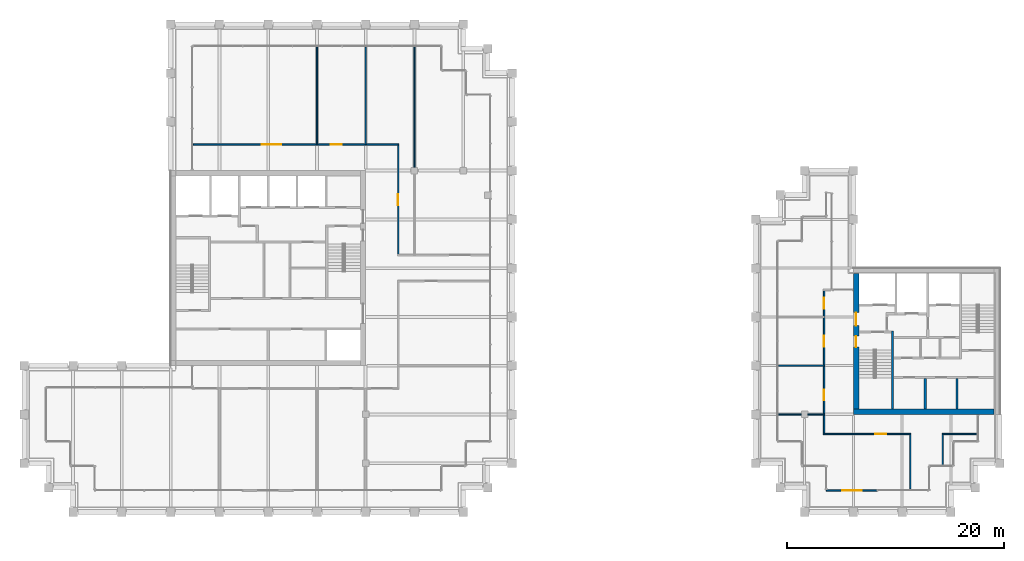
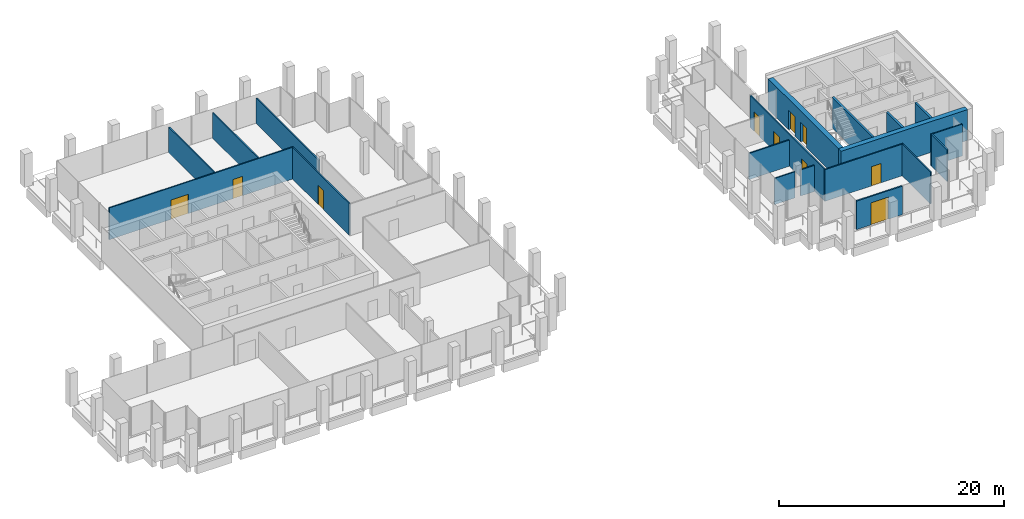
# One storey, part 37 of 40: 19 walls, 10 doors, 10 openings.
"""IFC4 building model written with IfcOpenShell, lengths in metres."""

from ifc_helpers import new_model, si_unit, direction, frame, frame_2d, origin, place, context, subcontext, project, spatial, rectangle, extrude, material, layer, layer_set, type_object, element, fill, save


model = new_model("IFC4")

# Units and contexts
model_context = context("Model", 3, precision=1e-05, world=origin(), true_north=direction((0.0, 1.0)))
body_context = subcontext(model_context, "Body", "Model", "MODEL_VIEW")
ifc_project = project(units=[si_unit("LENGTHUNIT", "METRE"), si_unit("AREAUNIT", "SQUARE_METRE"), si_unit("VOLUMEUNIT", "CUBIC_METRE"), si_unit("PLANEANGLEUNIT", "RADIAN"), si_unit("MASSUNIT", "GRAM", prefix="KILO")], contexts=[model_context])

# Site, building, storey
site_placement = place(None, origin())
site = spatial("IfcSite", under=ifc_project, at=site_placement, CompositionType="ELEMENT")
building_placement = place(site_placement, origin())
building = spatial("IfcBuilding", under=site, at=building_placement, Name="Altepetl Exchange Towers", CompositionType="ELEMENT")
storey_placement = place(building_placement, frame((0.0, 0.0, 195.60009765625)))
storey = spatial("IfcBuildingStorey", under=building, at=storey_placement, Name="L49", CompositionType="ELEMENT", Elevation=195.60009765625)

# Wall
ifc_material_1 = material(Name="Concrete C70/85", Category="concrete")
ifc_layer_1 = layer(ifc_material_1, 0.5)
ifc_layer_set_1 = layer_set([ifc_layer_1], Name="Concrete C70/85")
wall_type_1 = type_object("IfcWallType", Name="Core wall 500 reinforced concrete", PredefinedType="SHEAR", material=ifc_layer_set_1)
wall_1_placement = place(storey_placement, frame((103.5, 36.25, 0.0)))
element("IfcWall", 1, at=wall_1_placement, inside=storey, type_object=wall_type_1, Name="wall:B:L49:K-coreS", PredefinedType="SHEAR", context=body_context, shape_type="SweptSolid", body=[
    extrude(rectangle(XDim=13.0, YDim=0.5, at=frame_2d((6.5, 0.0))), origin(), (0.0, 0.0, 1.0), 3.349853515625),
])

# Wall, openings, doors
wall_2_placement = place(storey_placement, frame((103.75, 36.5, 0.0), z_axis=(0.0, 0.0, 1.0), x_axis=(0.0, 1.0, 0.0)))
wall_2 = element("IfcWall", 2, at=wall_2_placement, inside=storey, type_object=wall_type_1, Name="wall:B:L49:K-coreW", PredefinedType="SHEAR", context=body_context, shape_type="SweptSolid", body=[
    extrude(rectangle(XDim=12.5, YDim=0.5, at=frame_2d((6.25, 0.0))), origin(), (0.0, 0.0, 1.0), 3.349853515625),
])
opening_1_placement = place(wall_2_placement, frame((7.699951171875, 0.0, 0.0)))
opening_1 = element("IfcOpeningElement", 3, at=opening_1_placement, cuts=wall_2, Name="Opening L49.B60", PredefinedType="OPENING", context=body_context, shape_type="SweptSolid", body=[
    extrude(rectangle(XDim=1.199951171875, YDim=2.10009765625, at=frame_2d((0.60009765625, 1.050048828125))), frame((0.0, 0.260009765625, 0.0), z_axis=(0.0, -1.0, 0.0), x_axis=(1.0, 0.0, 0.0)), (0.0, 0.0, 1.0), 0.52001953125),
])
opening_2_placement = place(wall_2_placement, frame((5.72509765625, 0.0, 0.0)))
opening_2 = element("IfcOpeningElement", 4, at=opening_2_placement, cuts=wall_2, Name="Opening L49.B62", PredefinedType="OPENING", context=body_context, shape_type="SweptSolid", body=[
    extrude(rectangle(XDim=1.0, YDim=2.10009765625, at=frame_2d((0.5, 1.050048828125))), frame((0.0, 0.260009765625, 0.0), z_axis=(0.0, -1.0, 0.0), x_axis=(1.0, 0.0, 0.0)), (0.0, 0.0, 1.0), 0.52001953125),
])
ifc_material_2 = material(Name="Steel and timber fire door", Category="steel")
door_type_1 = type_object("IfcDoorType", Name="Fire door 1000 x 2100 stair and lobby", OperationType="SINGLE_SWING_LEFT", PredefinedType="DOOR", material=ifc_material_2)
door_1_placement = place(opening_2_placement, frame((1.0, 0.0, 0.0), x_axis=(-1.0, 0.0, 0.0)))
door_1 = element("IfcDoor", 5, at=door_1_placement, inside=storey, type_object=door_type_1, Name="door:B:L49:K-dS1x", OperationType="SINGLE_SWING_RIGHT", OverallHeight=2.10009765625, OverallWidth=1.0, PredefinedType="DOOR", context=body_context, shape_type="SweptSolid", body=[
    extrude(rectangle(XDim=1.0, YDim=2.10009765625, at=frame_2d((0.5, 1.050048828125))), frame((0.0, 0.02490234375, 0.0), z_axis=(0.0, -1.0, 0.0), x_axis=(1.0, 0.0, 0.0)), (0.0, 0.0, 1.0), 0.050048828125),
])
fill(opening_2, door_1)
door_type_2 = type_object("IfcDoorType", Name="Fire door 1200 x 2100 lobby entry", OperationType="SINGLE_SWING_LEFT", PredefinedType="DOOR", material=ifc_material_2)
door_2_placement = place(opening_1_placement, frame((1.199951171875, 0.0, 0.0), x_axis=(-1.0, 0.0, 0.0)))
door_2 = element("IfcDoor", 6, at=door_2_placement, inside=storey, type_object=door_type_2, Name="door:B:L49:K-dLNW", OperationType="SINGLE_SWING_RIGHT", OverallHeight=2.10009765625, OverallWidth=1.199951171875, PredefinedType="DOOR", context=body_context, shape_type="SweptSolid", body=[
    extrude(rectangle(XDim=1.199951171875, YDim=2.10009765625, at=frame_2d((0.60009765625, 1.050048828125))), frame((0.0, 0.02490234375, 0.0), z_axis=(0.0, -1.0, 0.0), x_axis=(1.0, 0.0, 0.0)), (0.0, 0.0, 1.0), 0.050048828125),
])
fill(opening_1, door_2)

# Wall, opening, door
ifc_material_3 = material(Name="Aluminium composite cladding", Category="aluminium")
ifc_layer_2 = layer(ifc_material_3, 0.14990234375)
ifc_layer_set_2 = layer_set([ifc_layer_2], Name="Aluminium composite cladding")
wall_type_2 = type_object("IfcWallType", Name="Infill wall 150 aluminium panel", PredefinedType="SOLIDWALL", material=ifc_layer_set_2)
wall_3_placement = place(storey_placement, frame((101.0, 29.0, 0.0)))
wall_3 = element("IfcWall", 7, at=wall_3_placement, inside=storey, type_object=wall_type_2, Name="Loggia door bay wall", PredefinedType="SOLIDWALL", context=body_context, shape_type="SweptSolid", body=[
    extrude(rectangle(XDim=4.71240234375, YDim=0.14990234375, at=frame_2d((2.356201171875, 0.0))), origin(), (0.0, 0.0, 1.0), 3.099853515625),
])
opening_3_placement = place(wall_3_placement, frame((1.456298828125, 0.0, 0.0)))
opening_3 = element("IfcOpeningElement", 8, at=opening_3_placement, cuts=wall_3, Name="Opening L49.B90", PredefinedType="OPENING", context=body_context, shape_type="SweptSolid", body=[
    extrude(rectangle(XDim=1.800048828125, YDim=2.39990234375, at=frame_2d((0.89990234375, 1.199951171875))), frame((0.0, 0.0849609375, 0.0), z_axis=(0.0, -1.0, 0.0), x_axis=(1.0, 0.0, 0.0)), (0.0, 0.0, 1.0), 0.169921875),
])
ifc_material_4 = material(Name="Aluminium 6063-T6 and glass", Category="aluminium")
door_type_3 = type_object("IfcDoorType", Name="Glazed door pair 1800x2400", OperationType="DOUBLE_DOOR_DOUBLE_SWING", PredefinedType="NOTDEFINED", material=ifc_material_4)
door_3_placement = place(opening_3_placement, frame((1.800048828125, 0.0, 0.0), x_axis=(-1.0, 0.0, 0.0)))
door_3 = element("IfcDoor", 9, at=door_3_placement, inside=storey, type_object=door_type_3, Name="Loggia door", OperationType="DOUBLE_DOOR_DOUBLE_SWING", OverallHeight=2.39990234375, OverallWidth=1.800048828125, PredefinedType="NOTDEFINED", context=body_context, shape_type="SweptSolid", body=[
    extrude(rectangle(XDim=1.800048828125, YDim=2.39990234375, at=frame_2d((0.89990234375, 1.199951171875))), frame((0.0, 0.02490234375, 0.0), z_axis=(0.0, -1.0, 0.0), x_axis=(1.0, 0.0, 0.0)), (0.0, 0.0, 1.0), 0.050048828125),
])
fill(opening_3, door_3)

# Wall, openings, doors
ifc_material_5 = material(Name="Gypsum board on steel studs", Category="steel")
ifc_layer_3 = layer(ifc_material_5, 0.125)
ifc_layer_set_3 = layer_set([ifc_layer_3], Name="Gypsum board on steel studs")
wall_type_3 = type_object("IfcWallType", Name="Partition 125 gypsum board on steel studs", PredefinedType="PARTITIONING", material=ifc_layer_set_3)
wall_4_placement = place(storey_placement, frame((42.60009765625, 60.89990234375, 0.0)))
wall_4 = element("IfcWall", 10, at=wall_4_placement, inside=storey, type_object=wall_type_3, Name="wall:A:L49:P05", PredefinedType="PARTITIONING", context=body_context, shape_type="SweptSolid", body=[
    extrude(rectangle(XDim=18.96240234375, YDim=0.125, at=frame_2d((9.481201171875, 0.0))), origin(), (0.0, 0.0, 1.0), 3.449951171875),
])
opening_4_placement = place(wall_4_placement, frame((12.695068359375, 0.0, 0.0)))
opening_4 = element("IfcOpeningElement", 11, at=opening_4_placement, cuts=wall_4, Name="Opening L49.A08", PredefinedType="OPENING", context=body_context, shape_type="SweptSolid", body=[
    extrude(rectangle(XDim=1.0, YDim=2.10009765625, at=frame_2d((0.5, 1.050048828125))), frame((0.0, 0.072509765625, 0.0), z_axis=(0.0, -1.0, 0.0), x_axis=(1.0, 0.0, 0.0)), (0.0, 0.0, 1.0), 0.14501953125),
])
opening_5_placement = place(wall_4_placement, frame((6.322021484375, 0.0, 0.0)))
opening_5 = element("IfcOpeningElement", 12, at=opening_5_placement, cuts=wall_4, Name="Opening L49.A09", PredefinedType="OPENING", context=body_context, shape_type="SweptSolid", body=[
    extrude(rectangle(XDim=1.800048828125, YDim=2.10009765625, at=frame_2d((0.89990234375, 1.050048828125))), frame((0.0, 0.072509765625, 0.0), z_axis=(0.0, -1.0, 0.0), x_axis=(1.0, 0.0, 0.0)), (0.0, 0.0, 1.0), 0.14501953125),
])
door_type_4 = type_object("IfcDoorType", Name="Fire door 1000 x 2100 single leaf", OperationType="SINGLE_SWING_LEFT", PredefinedType="DOOR", material=ifc_material_2)
door_4_placement = place(opening_4_placement, origin())
door_4 = element("IfcDoor", 13, at=door_4_placement, inside=storey, type_object=door_type_4, Name="door:A:L49:08", OperationType="SINGLE_SWING_LEFT", OverallHeight=2.10009765625, OverallWidth=1.0, PredefinedType="DOOR", context=body_context, shape_type="SweptSolid", body=[
    extrude(rectangle(XDim=1.0, YDim=2.10009765625, at=frame_2d((0.5, 1.050048828125))), frame((0.0, 0.02490234375, 0.0), z_axis=(0.0, -1.0, 0.0), x_axis=(1.0, 0.0, 0.0)), (0.0, 0.0, 1.0), 0.050048828125),
])
fill(opening_4, door_4)
door_type_5 = type_object("IfcDoorType", Name="Fire door 1800 x 2100 double leaf", OperationType="DOUBLE_DOOR_SINGLE_SWING", PredefinedType="DOOR", material=ifc_material_2)
door_5_placement = place(opening_5_placement, origin())
door_5 = element("IfcDoor", 14, at=door_5_placement, inside=storey, type_object=door_type_5, Name="door:A:L49:09", OperationType="DOUBLE_DOOR_SINGLE_SWING", OverallHeight=2.10009765625, OverallWidth=1.800048828125, PredefinedType="DOOR", context=body_context, shape_type="SweptSolid", body=[
    extrude(rectangle(XDim=1.800048828125, YDim=2.10009765625, at=frame_2d((0.89990234375, 1.050048828125))), frame((0.0, 0.02490234375, 0.0), z_axis=(0.0, -1.0, 0.0), x_axis=(1.0, 0.0, 0.0)), (0.0, 0.0, 1.0), 0.050048828125),
])
fill(opening_5, door_5)

# Walls
for number, where, z_axis, x_axis, name in (
    (15, (54.0, 60.89990234375, 0.0), (0.0, 0.0, 1.0), (0.0, 1.0, 0.0), "wall:A:L49:P08"),
    (16, (58.5, 60.89990234375, 0.0), (0.0, 0.0, 1.0), (0.0, 1.0, 0.0), "wall:A:L49:P12"),
):
    element("IfcWall", number, at=place(storey_placement, frame(where, z_axis=z_axis, x_axis=x_axis)), inside=storey, type_object=wall_type_3, Name=name, PredefinedType="PARTITIONING", context=body_context, shape_type="SweptSolid", body=[
        extrude(rectangle(XDim=9.0, YDim=0.125, at=frame_2d((4.5, 0.0))), origin(), (0.0, 0.0, 1.0), 2.77197265625),
    ])

# Wall, opening, door
wall_5_placement = place(storey_placement, frame((61.5, 50.762451171875, 0.0), z_axis=(0.0, 0.0, 1.0), x_axis=(0.0, 1.0, 0.0)))
wall_5 = element("IfcWall", 17, at=wall_5_placement, inside=storey, type_object=wall_type_3, Name="wall:A:L49:P14", PredefinedType="PARTITIONING", context=body_context, shape_type="SweptSolid", body=[
    extrude(rectangle(XDim=10.074951171875, YDim=0.125, at=frame_2d((5.03759765625, 0.0))), origin(), (0.0, 0.0, 1.0), 3.449951171875),
])
opening_6_placement = place(wall_5_placement, frame((4.53759765625, 0.0, 0.0)))
opening_6 = element("IfcOpeningElement", 18, at=opening_6_placement, cuts=wall_5, Name="Opening L49.A07", PredefinedType="OPENING", context=body_context, shape_type="SweptSolid", body=[
    extrude(rectangle(XDim=1.0, YDim=2.10009765625, at=frame_2d((0.5, 1.050048828125))), frame((0.0, 0.072509765625, 0.0), z_axis=(0.0, -1.0, 0.0), x_axis=(1.0, 0.0, 0.0)), (0.0, 0.0, 1.0), 0.14501953125),
])
door_6_placement = place(opening_6_placement, frame((1.0, 0.0, 0.0), x_axis=(-1.0, 0.0, 0.0)))
door_6 = element("IfcDoor", 19, at=door_6_placement, inside=storey, type_object=door_type_4, Name="door:A:L49:07", OperationType="SINGLE_SWING_RIGHT", OverallHeight=2.10009765625, OverallWidth=1.0, PredefinedType="DOOR", context=body_context, shape_type="SweptSolid", body=[
    extrude(rectangle(XDim=1.0, YDim=2.10009765625, at=frame_2d((0.5, 1.050048828125))), frame((0.0, 0.02490234375, 0.0), z_axis=(0.0, -1.0, 0.0), x_axis=(1.0, 0.0, 0.0)), (0.0, 0.0, 1.0), 0.050048828125),
])
fill(opening_6, door_6)

# Wall
wall_6_placement = place(storey_placement, frame((63.0, 58.800048828125, 0.0), z_axis=(0.0, 0.0, 1.0), x_axis=(0.0, 1.0, 0.0)))
element("IfcWall", 20, at=wall_6_placement, inside=storey, type_object=wall_type_3, Name="wall:A:L49:P16", PredefinedType="PARTITIONING", context=body_context, shape_type="SweptSolid", body=[
    extrude(rectangle(XDim=11.099853515625, YDim=0.125, at=frame_2d((5.5498046875, 0.0))), origin(), (0.0, 0.0, 1.0), 2.77197265625),
])

# Wall, opening, door
wall_7_placement = place(storey_placement, frame((100.737548828125, 34.199951171875, 0.0)))
wall_7 = element("IfcWall", 21, at=wall_7_placement, inside=storey, type_object=wall_type_3, Name="wall:B:L49:P01", PredefinedType="PARTITIONING", context=body_context, shape_type="SweptSolid", body=[
    extrude(rectangle(XDim=8.074951171875, YDim=0.125, at=frame_2d((4.03759765625, 0.0))), origin(), (0.0, 0.0, 1.0), 3.449951171875),
])
opening_7_placement = place(wall_7_placement, frame((4.79150390625, 0.0, 0.0)))
opening_7 = element("IfcOpeningElement", 22, at=opening_7_placement, cuts=wall_7, Name="Opening L49.B03", PredefinedType="OPENING", context=body_context, shape_type="SweptSolid", body=[
    extrude(rectangle(XDim=1.0, YDim=2.10009765625, at=frame_2d((0.5, 1.050048828125))), frame((0.0, 0.072509765625, 0.0), z_axis=(0.0, -1.0, 0.0), x_axis=(1.0, 0.0, 0.0)), (0.0, 0.0, 1.0), 0.14501953125),
])
door_7_placement = place(opening_7_placement, frame((1.0, 0.0, 0.0), x_axis=(-1.0, 0.0, 0.0)))
door_7 = element("IfcDoor", 23, at=door_7_placement, inside=storey, type_object=door_type_4, Name="door:B:L49:03", OperationType="SINGLE_SWING_LEFT", OverallHeight=2.10009765625, OverallWidth=1.0, PredefinedType="DOOR", context=body_context, shape_type="SweptSolid", body=[
    extrude(rectangle(XDim=1.0, YDim=2.10009765625, at=frame_2d((0.5, 1.050048828125))), frame((0.0, 0.02490234375, 0.0), z_axis=(0.0, -1.0, 0.0), x_axis=(1.0, 0.0, 0.0)), (0.0, 0.0, 1.0), 0.050048828125),
])
fill(opening_7, door_7)

# Walls
wall_8_placement = place(storey_placement, frame((111.6875, 34.199951171875, 0.0)))
element("IfcWall", 24, at=wall_8_placement, inside=storey, type_object=wall_type_3, Name="wall:B:L49:P02", PredefinedType="PARTITIONING", context=body_context, shape_type="SweptSolid", body=[
    extrude(rectangle(XDim=3.21240234375, YDim=0.125, at=frame_2d((1.606201171875, 0.0))), origin(), (0.0, 0.0, 1.0), 3.449951171875),
])
wall_9_placement = place(storey_placement, frame((96.60009765625, 36.0, 0.0)))
element("IfcWall", 25, at=wall_9_placement, inside=storey, type_object=wall_type_3, Name="wall:B:L49:P03", PredefinedType="PARTITIONING", context=body_context, shape_type="SweptSolid", body=[
    extrude(rectangle(XDim=2.099853515625, YDim=0.125, at=frame_2d((1.0498046875, 0.0))), origin(), (0.0, 0.0, 1.0), 2.841796875),
])
wall_10_placement = place(storey_placement, frame((99.300048828125, 36.0, 0.0)))
element("IfcWall", 26, at=wall_10_placement, inside=storey, type_object=wall_type_3, Name="wall:B:L49:P04", PredefinedType="PARTITIONING", context=body_context, shape_type="SweptSolid", body=[
    extrude(rectangle(XDim=1.5, YDim=0.125, at=frame_2d((0.75, 0.0))), origin(), (0.0, 0.0, 1.0), 2.841796875),
])
wall_11_placement = place(storey_placement, frame((96.60009765625, 40.5, 0.0)))
element("IfcWall", 27, at=wall_11_placement, inside=storey, type_object=wall_type_3, Name="wall:B:L49:P05", PredefinedType="PARTITIONING", context=body_context, shape_type="SweptSolid", body=[
    extrude(rectangle(XDim=4.199951171875, YDim=0.125, at=frame_2d((2.10009765625, 0.0))), origin(), (0.0, 0.0, 1.0), 2.850830078125),
])

# Wall, openings, doors
wall_12_placement = place(storey_placement, frame((100.800048828125, 34.262451171875, 0.0), z_axis=(0.0, 0.0, 1.0), x_axis=(0.0, 1.0, 0.0)))
wall_12 = element("IfcWall", 28, at=wall_12_placement, inside=storey, type_object=wall_type_3, Name="wall:B:L49:P08", PredefinedType="PARTITIONING", context=body_context, shape_type="SweptSolid", body=[
    extrude(rectangle(XDim=13.175048828125, YDim=0.125, at=frame_2d((6.58740234375, 0.0))), origin(), (0.0, 0.0, 1.0), 3.449951171875),
])
opening_8_placement = place(wall_12_placement, frame((7.987548828125, 0.0, 0.0)))
opening_8 = element("IfcOpeningElement", 29, at=opening_8_placement, cuts=wall_12, Name="Opening L49.B01", PredefinedType="OPENING", context=body_context, shape_type="SweptSolid", body=[
    extrude(rectangle(XDim=1.0, YDim=2.10009765625, at=frame_2d((0.5, 1.050048828125))), frame((0.0, 0.072509765625, 0.0), z_axis=(0.0, -1.0, 0.0), x_axis=(1.0, 0.0, 0.0)), (0.0, 0.0, 1.0), 0.14501953125),
])
opening_9_placement = place(wall_12_placement, frame((3.032470703125, 0.0, 0.0)))
opening_9 = element("IfcOpeningElement", 30, at=opening_9_placement, cuts=wall_12, Name="Opening L49.B02", PredefinedType="OPENING", context=body_context, shape_type="SweptSolid", body=[
    extrude(rectangle(XDim=1.0, YDim=2.10009765625, at=frame_2d((0.5, 1.050048828125))), frame((0.0, 0.072509765625, 0.0), z_axis=(0.0, -1.0, 0.0), x_axis=(1.0, 0.0, 0.0)), (0.0, 0.0, 1.0), 0.14501953125),
])
opening_10_placement = place(wall_12_placement, frame((11.487548828125, 0.0, 0.0)))
opening_10 = element("IfcOpeningElement", 31, at=opening_10_placement, cuts=wall_12, Name="Opening L49.B04", PredefinedType="OPENING", context=body_context, shape_type="SweptSolid", body=[
    extrude(rectangle(XDim=1.0, YDim=2.10009765625, at=frame_2d((0.5, 1.050048828125))), frame((0.0, 0.072509765625, 0.0), z_axis=(0.0, -1.0, 0.0), x_axis=(1.0, 0.0, 0.0)), (0.0, 0.0, 1.0), 0.14501953125),
])
door_8_placement = place(opening_8_placement, origin())
door_8 = element("IfcDoor", 32, at=door_8_placement, inside=storey, type_object=door_type_4, Name="door:B:L49:01", OperationType="SINGLE_SWING_RIGHT", OverallHeight=2.10009765625, OverallWidth=1.0, PredefinedType="DOOR", context=body_context, shape_type="SweptSolid", body=[
    extrude(rectangle(XDim=1.0, YDim=2.10009765625, at=frame_2d((0.5, 1.050048828125))), frame((0.0, 0.02490234375, 0.0), z_axis=(0.0, -1.0, 0.0), x_axis=(1.0, 0.0, 0.0)), (0.0, 0.0, 1.0), 0.050048828125),
])
fill(opening_8, door_8)
door_9_placement = place(opening_9_placement, origin())
door_9 = element("IfcDoor", 33, at=door_9_placement, inside=storey, type_object=door_type_4, Name="door:B:L49:02", OperationType="SINGLE_SWING_LEFT", OverallHeight=2.10009765625, OverallWidth=1.0, PredefinedType="DOOR", context=body_context, shape_type="SweptSolid", body=[
    extrude(rectangle(XDim=1.0, YDim=2.10009765625, at=frame_2d((0.5, 1.050048828125))), frame((0.0, 0.02490234375, 0.0), z_axis=(0.0, -1.0, 0.0), x_axis=(1.0, 0.0, 0.0)), (0.0, 0.0, 1.0), 0.050048828125),
])
fill(opening_9, door_9)
door_10_placement = place(opening_10_placement, origin())
door_10 = element("IfcDoor", 34, at=door_10_placement, inside=storey, type_object=door_type_4, Name="door:B:L49:04", OperationType="SINGLE_SWING_LEFT", OverallHeight=2.10009765625, OverallWidth=1.0, PredefinedType="DOOR", context=body_context, shape_type="SweptSolid", body=[
    extrude(rectangle(XDim=1.0, YDim=2.10009765625, at=frame_2d((0.5, 1.050048828125))), frame((0.0, 0.02490234375, 0.0), z_axis=(0.0, -1.0, 0.0), x_axis=(1.0, 0.0, 0.0)), (0.0, 0.0, 1.0), 0.050048828125),
])
fill(opening_10, door_10)

# Walls
wall_13_placement = place(storey_placement, frame((108.75, 29.10009765625, 0.0), z_axis=(0.0, 0.0, 1.0), x_axis=(0.0, 1.0, 0.0)))
element("IfcWall", 35, at=wall_13_placement, inside=storey, type_object=wall_type_3, Name="wall:B:L49:P09", PredefinedType="PARTITIONING", context=body_context, shape_type="SweptSolid", body=[
    extrude(rectangle(XDim=5.037353515625, YDim=0.125, at=frame_2d((2.5185546875, 0.0))), origin(), (0.0, 0.0, 1.0), 3.449951171875),
])
wall_14_placement = place(storey_placement, frame((111.75, 31.35009765625, 0.0), z_axis=(0.0, 0.0, 1.0), x_axis=(0.0, 1.0, 0.0)))
element("IfcWall", 36, at=wall_14_placement, inside=storey, type_object=wall_type_3, Name="wall:B:L49:P10", PredefinedType="PARTITIONING", context=body_context, shape_type="SweptSolid", body=[
    extrude(rectangle(XDim=2.787353515625, YDim=0.125, at=frame_2d((1.3935546875, 0.0))), origin(), (0.0, 0.0, 1.0), 3.449951171875),
])
ifc_layer_4 = layer(ifc_material_1, 0.199951171875)
ifc_layer_set_4 = layer_set([ifc_layer_4], Name="Concrete C70/85")
wall_type_4 = type_object("IfcWallType", Name="Shear wall 200 reinforced concrete", PredefinedType="SHEAR", material=ifc_layer_set_4)
for number, where, z_axis, x_axis, name in (
    (37, (110.13330078125, 36.5, 0.0), (0.0, 0.0, 1.0), (0.0, 1.0, 0.0), "wall:B:L49:K-divS1"),
    (38, (113.066650390625, 36.5, 0.0), (0.0, 0.0, 1.0), (0.0, 1.0, 0.0), "wall:B:L49:K-divS2"),
):
    element("IfcWall", number, at=place(storey_placement, frame(where, z_axis=z_axis, x_axis=x_axis)), inside=storey, type_object=wall_type_4, Name=name, PredefinedType="SHEAR", context=body_context, shape_type="SweptSolid", body=[
        extrude(rectangle(XDim=2.800048828125, YDim=0.199951171875, at=frame_2d((1.39990234375, 0.0))), origin(), (0.0, 0.0, 1.0), 3.349853515625),
    ])
ifc_material_6 = material(Name="Concrete C40/50", Category="concrete")
ifc_layer_5 = layer(ifc_material_6, 0.199951171875)
ifc_layer_set_5 = layer_set([ifc_layer_5], Name="Concrete C40/50")
wall_type_5 = type_object("IfcWallType", Name="Stair wall 200 reinforced concrete", PredefinedType="SHEAR", material=ifc_layer_set_5)
wall_15_placement = place(storey_placement, frame((107.10009765625, 36.5, 0.0), z_axis=(0.0, 0.0, 1.0), x_axis=(0.0, 1.0, 0.0)))
element("IfcWall", 39, at=wall_15_placement, inside=storey, type_object=wall_type_5, Name="wall:B:L49:K-stS1E", PredefinedType="SHEAR", context=body_context, shape_type="SweptSolid", body=[
    extrude(rectangle(XDim=7.199951171875, YDim=0.199951171875, at=frame_2d((3.60009765625, 0.0))), origin(), (0.0, 0.0, 1.0), 3.349853515625),
])

save(model, "model.ifc")
